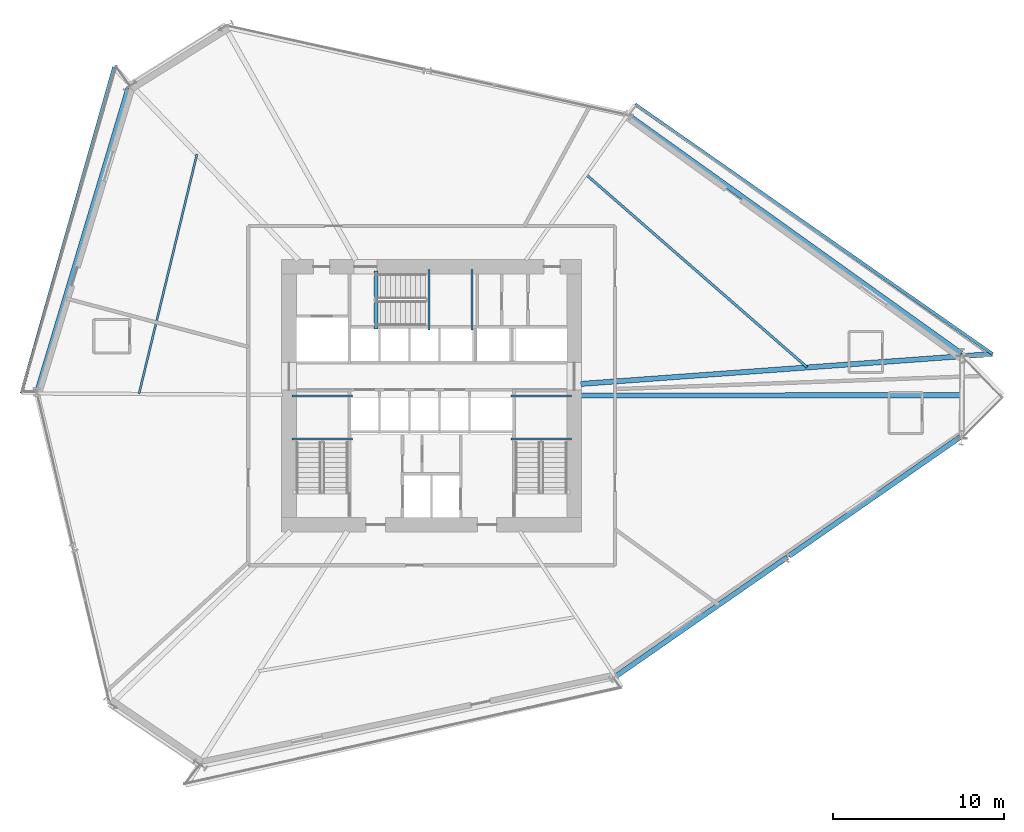
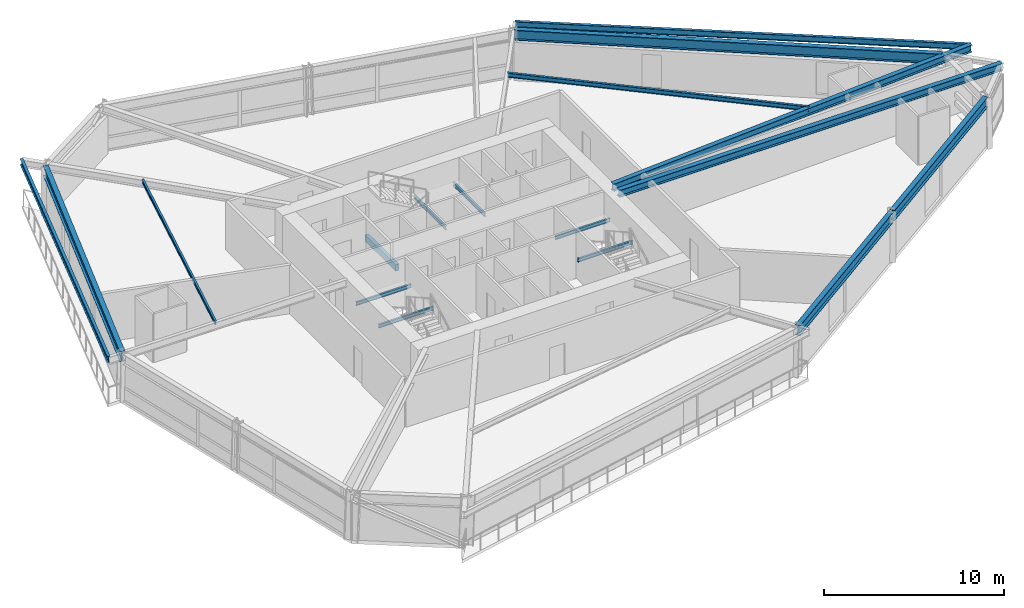
# One storey, part 7 of 24: 17 beams.
"""IFC4 building model written with IfcOpenShell, lengths in metres."""

from ifc_helpers import new_model, si_unit, direction, frame, origin, origin_2d, place, context, subcontext, project, spatial, rectangle, i_section, extrude, source, transform, mapped, material, material_profile, profile_set, type_object, element, save


model = new_model("IFC4")

# Units and contexts
model_context = context("Model", 3, precision=1e-05, world=origin(), true_north=direction((0.0, 1.0)))
body_context = subcontext(model_context, "Body", "Model", "MODEL_VIEW")
ifc_project = project(units=[si_unit("LENGTHUNIT", "METRE"), si_unit("AREAUNIT", "SQUARE_METRE"), si_unit("VOLUMEUNIT", "CUBIC_METRE"), si_unit("PLANEANGLEUNIT", "RADIAN"), si_unit("MASSUNIT", "GRAM", prefix="KILO")], contexts=[model_context])

# Site, building, storey
site_placement = place(None, origin())
site = spatial("IfcSite", under=ifc_project, at=site_placement, CompositionType="ELEMENT")
building_placement = place(site_placement, origin())
building = spatial("IfcBuilding", under=site, at=building_placement, Name="Olszyna Solenne Hotel", CompositionType="ELEMENT")
storey_placement = place(building_placement, frame((0.0, 0.0, 36.39990234375)))
storey = spatial("IfcBuildingStorey", under=building, at=storey_placement, Name="L08", CompositionType="ELEMENT", Elevation=36.39990234375)

# Beams
ifc_material_1 = material(Name="Steel S355J2", Category="steel")
ifc_material_profile_1 = material_profile(ifc_material_1, i_section(OverallWidth=0.300048828125, OverallDepth=0.699951171875, WebThickness=0.01708984375, FlangeThickness=0.031982421875, at=origin_2d()), Name="HEB 700", Category="load-bearing")
ifc_profile_set_1 = profile_set([ifc_material_profile_1], Name="Steel S355J2")
beam_type_1 = type_object("IfcBeamType", Name="BM-S1", PredefinedType="BEAM", material=ifc_profile_set_1)
shared_shape_1 = source(origin(), body_context, "Body", "SweptSolid", [
    extrude(i_section(OverallWidth=0.300048828125, OverallDepth=0.699951171875, WebThickness=0.01708984375, FlangeThickness=0.031982421875, at=origin_2d()), origin(), (0.0, 0.0, 1.0), 23.911865234375),
])
beam_1_placement = place(storey_placement, frame((68.90625, 29.064453125, 2.9501953125), z_axis=(-0.813217131071, 0.581960391893, 0.0), x_axis=(-0.581960391893, -0.813217131071, 0.0)))
element("IfcBeam", 1, at=beam_1_placement, inside=storey, type_object=beam_type_1, Name="Perimeter spandrel beam BM-S1 B-L08-0261", PredefinedType="BEAM", context=body_context, shape_type="MappedRepresentation", body=[
    mapped(shared_shape_1, transform((0.0, 0.0, 0.0), x_axis=(1.0, 0.0, 0.0), y_axis=(0.0, 1.0, 0.0), z_axis=(0.0, 0.0, 1.0), scale=1.0)),
])
shared_shape_2 = source(origin(), body_context, "Body", "SweptSolid", [
    extrude(i_section(OverallWidth=0.300048828125, OverallDepth=0.699951171875, WebThickness=0.01708984375, FlangeThickness=0.031982421875, at=origin_2d()), origin(), (0.0, 0.0, 1.0), 18.537841796875),
])
beam_2_placement = place(storey_placement, frame((20.303466796875, 44.544921875, 2.9501953125), z_axis=(-0.287590733804, -0.95775339719, 0.0), x_axis=(0.95775339719, -0.287590733804, 0.0)))
element("IfcBeam", 2, at=beam_2_placement, inside=storey, type_object=beam_type_1, Name="Perimeter spandrel beam BM-S1 B-L08-0265", PredefinedType="BEAM", context=body_context, shape_type="MappedRepresentation", body=[
    mapped(shared_shape_2, transform((0.0, 0.0, 0.0), x_axis=(1.0, 0.0, 0.0), y_axis=(0.0, 1.0, 0.0), z_axis=(0.0, 0.0, 1.0), scale=1.0)),
])
shared_shape_3 = source(origin(), body_context, "Body", "SweptSolid", [
    extrude(i_section(OverallWidth=0.300048828125, OverallDepth=0.699951171875, WebThickness=0.01708984375, FlangeThickness=0.031982421875, at=origin_2d()), origin(), (0.0, 0.0, 1.0), 12.20947265625),
])
beam_3_placement = place(storey_placement, frame((58.8583984375, 17.243896484375, 2.9501953125), z_axis=(0.821221345999, 0.570609762338, 0.0), x_axis=(-0.570609762338, 0.821221345999, 0.0)))
element("IfcBeam", 3, at=beam_3_placement, inside=storey, type_object=beam_type_1, Name="Perimeter spandrel beam BM-S1 B-L08-0271", PredefinedType="BEAM", context=body_context, shape_type="MappedRepresentation", body=[
    mapped(shared_shape_3, transform((0.0, 0.0, 0.0), x_axis=(1.0, 0.0, 0.0), y_axis=(0.0, 1.0, 0.0), z_axis=(0.0, 0.0, 1.0), scale=1.0)),
])
ifc_material_profile_2 = material_profile(ifc_material_1, i_section(OverallWidth=0.300048828125, OverallDepth=0.489990234375, WebThickness=0.011962890625, FlangeThickness=0.02294921875, at=origin_2d()), Name="HEA 500", Category="load-bearing")
ifc_profile_set_2 = profile_set([ifc_material_profile_2], Name="Steel S355J2")
beam_type_2 = type_object("IfcBeamType", Name="BM-G1", PredefinedType="BEAM", material=ifc_profile_set_2)
shared_shape_4 = source(origin(), body_context, "Body", "SweptSolid", [
    extrude(i_section(OverallWidth=0.300048828125, OverallDepth=0.489990234375, WebThickness=0.011962890625, FlangeThickness=0.02294921875, at=origin_2d()), origin(), (0.0, 0.0, 1.0), 24.57470703125),
])
beam_4_placement = place(storey_placement, frame((71.274658203125, 26.626953125, 3.05517578125), z_axis=(-0.999999778475, -0.000665620072, 0.0), x_axis=(0.000665620072, -0.999999778475, 0.0)))
element("IfcBeam", 4, at=beam_4_placement, inside=storey, type_object=beam_type_2, Name="Radial floor girder BM-G1 B-L08-0272", PredefinedType="BEAM", context=body_context, shape_type="MappedRepresentation", body=[
    mapped(shared_shape_4, transform((0.0, 0.0, 0.0), x_axis=(1.0, 0.0, 0.0), y_axis=(0.0, 1.0, 0.0), z_axis=(0.0, 0.0, 1.0), scale=1.0)),
])
ifc_material_profile_3 = material_profile(ifc_material_1, i_section(OverallWidth=0.179931640625, OverallDepth=0.39990234375, WebThickness=0.008544921875, FlangeThickness=0.013427734375, at=origin_2d()), Name="IPE 400", Category="load-bearing")
ifc_profile_set_3 = profile_set([ifc_material_profile_3], Name="Steel S355J2")
beam_type_3 = type_object("IfcBeamType", Name="BM-F5", PredefinedType="BEAM", material=ifc_profile_set_3)
shared_shape_5 = source(origin(), body_context, "Body", "SweptSolid", [
    extrude(i_section(OverallWidth=0.179931640625, OverallDepth=0.39990234375, WebThickness=0.008544921875, FlangeThickness=0.013427734375, at=origin_2d()), origin(), (0.0, 0.0, 1.0), 25.447021484375),
])
beam_5_placement = place(storey_placement, frame((70.736083984375, 29.0302734375, 3.10009765625), z_axis=(-0.819825092154, 0.572614022073, 0.0), x_axis=(-0.572614022073, -0.819825092154, 0.0)))
element("IfcBeam", 5, at=beam_5_placement, inside=storey, type_object=beam_type_3, Name="Loggia outer edge beam BM-F5 B-L08-0286", PredefinedType="BEAM", context=body_context, shape_type="MappedRepresentation", body=[
    mapped(shared_shape_5, transform((0.0, 0.0, 0.0), x_axis=(1.0, 0.0, 0.0), y_axis=(0.0, 1.0, 0.0), z_axis=(0.0, 0.0, 1.0), scale=1.0)),
])
shared_shape_6 = source(origin(), body_context, "Body", "SweptSolid", [
    extrude(i_section(OverallWidth=0.300048828125, OverallDepth=0.699951171875, WebThickness=0.01708984375, FlangeThickness=0.031982421875, at=origin_2d()), origin(), (0.0, 0.0, 1.0), 12.209228515625),
])
beam_6_placement = place(storey_placement, frame((48.733154296875, 10.208984375, 2.9501953125), z_axis=(0.821230716124, 0.570596276622, 0.0), x_axis=(-0.570596276622, 0.821230716124, 0.0)))
element("IfcBeam", 6, at=beam_6_placement, inside=storey, type_object=beam_type_1, Name="Perimeter spandrel beam BM-S1 B-L08-0270", PredefinedType="BEAM", context=body_context, shape_type="MappedRepresentation", body=[
    mapped(shared_shape_6, transform((0.0, 0.0, 0.0), x_axis=(1.0, 0.0, 0.0), y_axis=(0.0, 1.0, 0.0), z_axis=(0.0, 0.0, 1.0), scale=1.0)),
])
shared_shape_7 = source(origin(), body_context, "Body", "SweptSolid", [
    extrude(i_section(OverallWidth=0.300048828125, OverallDepth=0.489990234375, WebThickness=0.011962890625, FlangeThickness=0.02294921875, at=origin_2d()), origin(), (0.0, 0.0, 1.0), 24.079345703125),
])
beam_7_placement = place(storey_placement, frame((70.716064453125, 29.02880859375, 3.05517578125), z_axis=(-0.997367363761, -0.072514424113, 0.0), x_axis=(0.072514424113, -0.997367363761, 0.0)))
element("IfcBeam", 7, at=beam_7_placement, inside=storey, type_object=beam_type_2, Name="Radial floor girder BM-G1 B-L08-0273", PredefinedType="BEAM", context=body_context, shape_type="MappedRepresentation", body=[
    mapped(shared_shape_7, transform((0.0, 0.0, 0.0), x_axis=(1.0, 0.0, 0.0), y_axis=(0.0, 1.0, 0.0), z_axis=(0.0, 0.0, 1.0), scale=1.0)),
])
ifc_material_profile_4 = material_profile(ifc_material_1, i_section(OverallWidth=0.14990234375, OverallDepth=0.300048828125, WebThickness=0.007080078125, FlangeThickness=0.0107421875, at=origin_2d()), Name="IPE 300", Category="load-bearing")
ifc_profile_set_4 = profile_set([ifc_material_profile_4], Name="Steel S355J2")
beam_type_4 = type_object("IfcBeamType", Name="JS-02", PredefinedType="JOIST", material=ifc_profile_set_4)
shared_shape_8 = source(origin(), body_context, "Body", "SweptSolid", [
    extrude(i_section(OverallWidth=0.14990234375, OverallDepth=0.300048828125, WebThickness=0.007080078125, FlangeThickness=0.0107421875, at=origin_2d()), origin(), (0.0, 0.0, 1.0), 17.09814453125),
])
beam_8_placement = place(storey_placement, frame((59.90478515625, 28.257080078125, 3.150146484375), z_axis=(-0.753580645302, 0.657355467784, 0.0), x_axis=(-0.657355467784, -0.753580645302, 0.0)))
element("IfcBeam", 8, at=beam_8_placement, inside=storey, type_object=beam_type_4, Name="Secondary composite floor joist JS-02 B-L08-0283", PredefinedType="JOIST", context=body_context, shape_type="MappedRepresentation", body=[
    mapped(shared_shape_8, transform((0.0, 0.0, 0.0), x_axis=(1.0, 0.0, 0.0), y_axis=(0.0, 1.0, 0.0), z_axis=(0.0, 0.0, 1.0), scale=1.0)),
])
ifc_material_profile_5 = material_profile(ifc_material_1, i_section(OverallWidth=0.1201171875, OverallDepth=0.239990234375, WebThickness=0.006103515625, FlangeThickness=0.009765625, at=origin_2d()), Name="IPE 240", Category="load-bearing")
ifc_profile_set_5 = profile_set([ifc_material_profile_5], Name="Steel S355J2")
beam_type_5 = type_object("IfcBeamType", Name="JS-03", PredefinedType="JOIST", material=ifc_profile_set_5)
shared_shape_9 = source(origin(), body_context, "Body", "SweptSolid", [
    extrude(i_section(OverallWidth=0.1201171875, OverallDepth=0.239990234375, WebThickness=0.006103515625, FlangeThickness=0.009765625, at=origin_2d()), origin(), (0.0, 0.0, 1.0), 14.375732421875),
])
beam_9_placement = place(storey_placement, frame((24.302978515625, 40.68798828125, 3.18017578125), z_axis=(-0.234975865288, -0.972001205108, 0.0), x_axis=(0.972001205108, -0.234975865288, 0.0)))
element("IfcBeam", 9, at=beam_9_placement, inside=storey, type_object=beam_type_5, Name="Secondary composite floor joist JS-03 B-L08-0284", PredefinedType="JOIST", context=body_context, shape_type="MappedRepresentation", body=[
    mapped(shared_shape_9, transform((0.0, 0.0, 0.0), x_axis=(1.0, 0.0, 0.0), y_axis=(0.0, 1.0, 0.0), z_axis=(0.0, 0.0, 1.0), scale=1.0)),
])
shared_shape_10 = source(origin(), body_context, "Body", "SweptSolid", [
    extrude(i_section(OverallWidth=0.179931640625, OverallDepth=0.39990234375, WebThickness=0.008544921875, FlangeThickness=0.013427734375, at=origin_2d()), origin(), (0.0, 0.0, 1.0), 19.79296875),
])
beam_10_placement = place(storey_placement, frame((19.464111328125, 45.774658203125, 3.10009765625), z_axis=(-0.272806378964, -0.962068957818, 0.0), x_axis=(0.962068957818, -0.272806378964, 0.0)))
element("IfcBeam", 10, at=beam_10_placement, inside=storey, type_object=beam_type_3, Name="Loggia outer edge beam BM-F5 B-L08-0287", PredefinedType="BEAM", context=body_context, shape_type="MappedRepresentation", body=[
    mapped(shared_shape_10, transform((0.0, 0.0, 0.0), x_axis=(1.0, 0.0, 0.0), y_axis=(0.0, 1.0, 0.0), z_axis=(0.0, 0.0, 1.0), scale=1.0)),
])
shared_shape_11 = source(origin(), body_context, "Body", "SweptSolid", [
    extrude(i_section(OverallWidth=0.1201171875, OverallDepth=0.239990234375, WebThickness=0.006103515625, FlangeThickness=0.009765625, at=origin_2d()), origin(), (0.0, 0.0, 1.0), 3.539794921875),
])
for number, where, z_axis, x_axis, name in (
    (11, (33.3798828125, 24.070068359375, 1.4501953125), (-1.0, 0.0, 0.0), (0.0, -1.0, 0.0), "Stair landing support beam JS-03 SLB-ST1-0021"),
    (12, (33.3798828125, 26.580078125, 1.4501953125), (-1.0, 0.0, 0.0), (0.0, -1.0, 0.0), "Stair landing support beam JS-03 SLB-ST1-0022"),
    (13, (46.159912109375, 24.070068359375, 1.4501953125), (-1.0, 0.0, 0.0), (0.0, -1.0, 0.0), "Stair landing support beam JS-03 SLB-ST2-0261"),
    (14, (46.159912109375, 26.580078125, 1.4501953125), (-1.0, 0.0, 0.0), (0.0, -1.0, 0.0), "Stair landing support beam JS-03 SLB-ST2-0262"),
):
    element("IfcBeam", number, at=place(storey_placement, frame(where, z_axis=z_axis, x_axis=x_axis)), inside=storey, type_object=beam_type_5, Name=name, PredefinedType="JOIST", context=body_context, shape_type="MappedRepresentation", body=[
        mapped(shared_shape_11, transform((0.0, 0.0, 0.0), x_axis=(1.0, 0.0, 0.0), y_axis=(0.0, 1.0, 0.0), z_axis=(0.0, 0.0, 1.0), scale=1.0)),
    ])
shared_shape_12 = source(origin(), body_context, "Body", "SweptSolid", [
    extrude(i_section(OverallWidth=0.1201171875, OverallDepth=0.239990234375, WebThickness=0.006103515625, FlangeThickness=0.009765625, at=origin_2d()), origin(), (0.0, 0.0, 1.0), 3.5400390625),
])
for number, where, z_axis, x_axis, name in (
    (15, (37.85009765625, 30.419921875, 1.4501953125), (0.0, 1.0, 0.0), (-1.0, 0.0, 0.0), "Stair landing support beam JS-03 SLB-ST3-0501"),
    (16, (40.360107421875, 30.419921875, 1.4501953125), (0.0, 1.0, 0.0), (-1.0, 0.0, 0.0), "Stair landing support beam JS-03 SLB-ST3-0502"),
):
    element("IfcBeam", number, at=place(storey_placement, frame(where, z_axis=z_axis, x_axis=x_axis)), inside=storey, type_object=beam_type_5, Name=name, PredefinedType="JOIST", context=body_context, shape_type="MappedRepresentation", body=[
        mapped(shared_shape_12, transform((0.0, 0.0, 0.0), x_axis=(1.0, 0.0, 0.0), y_axis=(0.0, 1.0, 0.0), z_axis=(0.0, 0.0, 1.0), scale=1.0)),
    ])
ifc_material_2 = material(Name="Concrete C50/60", Category="concrete")
ifc_material_profile_6 = material_profile(ifc_material_2, rectangle(XDim=0.219970703125, YDim=0.43994140625, at=origin_2d()), Name="RC 220x440", Category="load-bearing")
ifc_profile_set_6 = profile_set([ifc_material_profile_6], Name="Concrete C50/60")
beam_type_6 = type_object("IfcBeamType", Name="BM-ST1", PredefinedType="BEAM", material=ifc_profile_set_6)
shared_shape_13 = source(origin(), body_context, "Body", "SweptSolid", [
    extrude(rectangle(XDim=0.219970703125, YDim=0.43994140625, at=origin_2d()), origin(), (0.0, 0.0, 1.0), 3.3798828125),
])
beam_11_placement = place(storey_placement, frame((34.760009765625, 30.5, -0.204833984375), z_axis=(0.0, 1.0, 0.0), x_axis=(-1.0, 0.0, 0.0)))
element("IfcBeam", 17, at=beam_11_placement, inside=storey, type_object=beam_type_6, Name="Concrete stair trimmer beam BM-ST1 SHB-ST3-0648", PredefinedType="BEAM", context=body_context, shape_type="MappedRepresentation", body=[
    mapped(shared_shape_13, transform((0.0, 0.0, 0.0), x_axis=(1.0, 0.0, 0.0), y_axis=(0.0, 1.0, 0.0), z_axis=(0.0, 0.0, 1.0), scale=1.0)),
])

save(model, "model.ifc")
